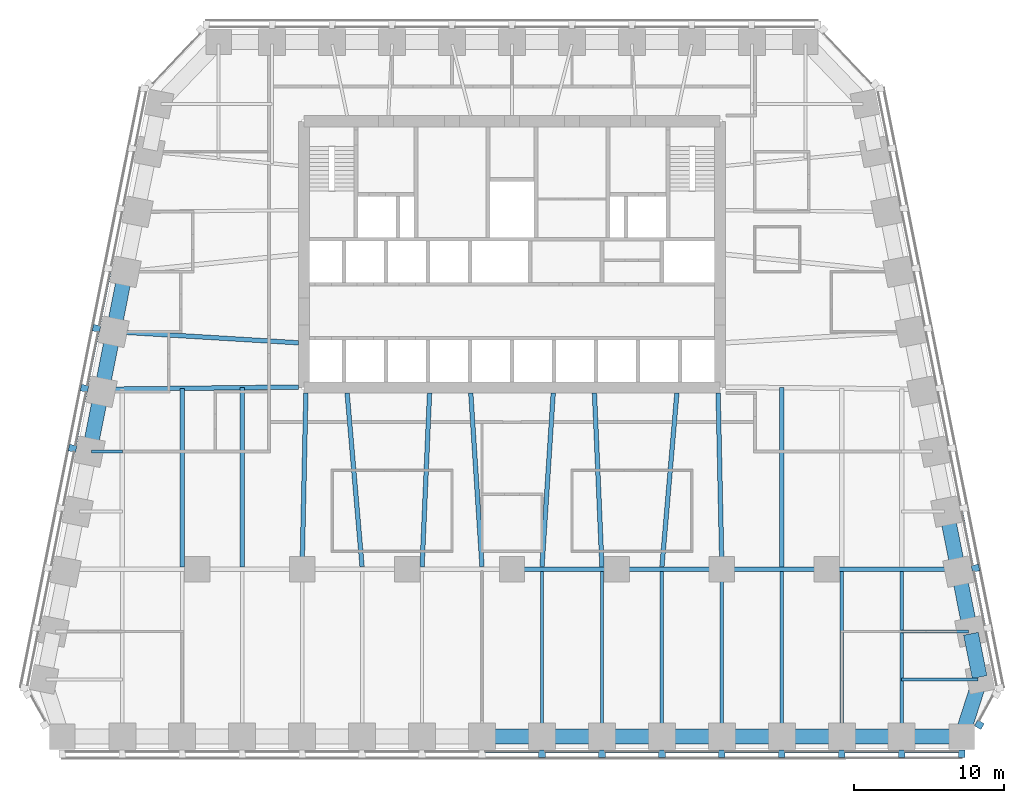
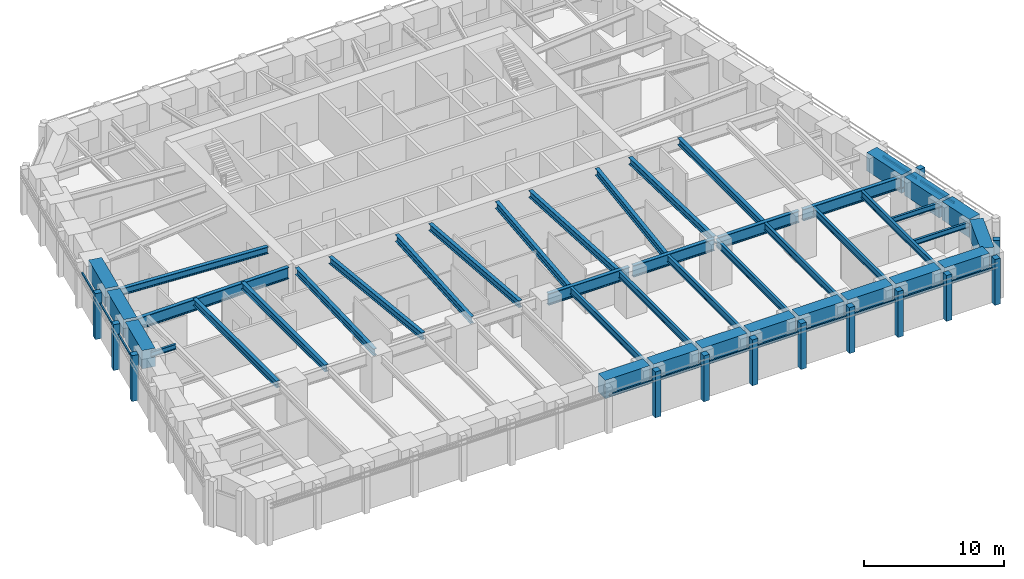
# One storey, part 2 of 10: 42 beams, 26 members, 4 elements without a shape of their own.
"""IFC4 building model written with IfcOpenShell, lengths in metres."""

from ifc_helpers import new_model, si_unit, direction, frame, origin, origin_2d, place, context, subcontext, project, spatial, rectangle, i_section, extrude, material, material_profile, profile_set, type_object, element, aggregate, save


model = new_model("IFC4")

# Units and contexts
model_context = context("Model", 3, precision=1e-05, world=origin(), true_north=direction((0.0, 1.0)))
body_context = subcontext(model_context, "Body", "Model", "MODEL_VIEW")
ifc_project = project(units=[si_unit("LENGTHUNIT", "METRE"), si_unit("AREAUNIT", "SQUARE_METRE"), si_unit("VOLUMEUNIT", "CUBIC_METRE"), si_unit("PLANEANGLEUNIT", "RADIAN"), si_unit("MASSUNIT", "GRAM", prefix="KILO")], contexts=[model_context])

# Site, building, storey
site_placement = place(None, origin())
site = spatial("IfcSite", under=ifc_project, at=site_placement, CompositionType="ELEMENT")
building_placement = place(site_placement, origin())
building = spatial("IfcBuilding", under=site, at=building_placement, Name="Isbrekke Arena Tower", CompositionType="ELEMENT")
storey_placement = place(building_placement, frame((0.0, 0.0, 123.0)))
storey = spatial("IfcBuildingStorey", under=building, at=storey_placement, Name="L27", CompositionType="ELEMENT", Elevation=123.0)

# Beams
ifc_material_1 = material(Name="Steel S355", Category="steel")
ifc_material_profile_1 = material_profile(ifc_material_1, i_section(OverallWidth=0.219970703125, OverallDepth=0.60009765625, WebThickness=0.011962890625, FlangeThickness=0.01904296875, FilletRadius=0.02392578125, at=origin_2d()), Name="IPE 600")
ifc_profile_set_1 = profile_set([ifc_material_profile_1], Name="Steel S355")
beam_type_1 = type_object("IfcBeamType", Name="B1 IPE 600", PredefinedType="BEAM", material=ifc_profile_set_1)
for number, where, z_axis, x_axis, name in (
    (1, (2.0, -17.02490234375, 3.550048828125), (0.0, 1.0, 0.0), (-1.0, 0.0, 0.0), "B1 beam S-S09 L27"),
    (2, (6.0, -17.02490234375, 3.550048828125), (0.0, 1.0, 0.0), (-1.0, 0.0, 0.0), "B1 beam S-S10 L27"),
    (3, (10.0, -17.02490234375, 3.550048828125), (0.0, 1.0, 0.0), (-1.0, 0.0, 0.0), "B1 beam S-S11 L27"),
):
    element("IfcBeam", number, at=place(storey_placement, frame(where, z_axis=z_axis, x_axis=x_axis)), inside=storey, type_object=beam_type_1, Name=name, PredefinedType="BEAM", context=body_context, shape_type="SweptSolid", body=[
        extrude(i_section(OverallWidth=0.219970703125, OverallDepth=0.60009765625, WebThickness=0.011962890625, FlangeThickness=0.01904296875, FilletRadius=0.02392578125, at=origin_2d()), origin(), (0.0, 0.0, 1.0), 10.8740234375),
    ])
beam_1_placement = place(storey_placement, frame((14.0, -17.02490234375, 3.550048828125), z_axis=(0.0, 1.0, 0.0), x_axis=(-1.0, 0.0, 0.0)))
element("IfcBeam", 4, at=beam_1_placement, inside=storey, type_object=beam_type_1, Name="B1 beam S-S12 L27", PredefinedType="BEAM", context=body_context, shape_type="SweptSolid", body=[
    extrude(i_section(OverallWidth=0.219970703125, OverallDepth=0.60009765625, WebThickness=0.011962890625, FlangeThickness=0.01904296875, FilletRadius=0.02392578125, at=origin_2d()), origin(), (0.0, 0.0, 1.0), 10.875),
])
for number, where, z_axis, x_axis, name in (
    (5, (18.0, -17.02490234375, 3.550048828125), (0.0, 1.0, 0.0), (-1.0, 0.0, 0.0), "B1 beam S-S13 L27"),
    (6, (22.0, -17.02490234375, 3.550048828125), (0.0, 1.0, 0.0), (-1.0, 0.0, 0.0), "B1 beam S-S14 L27"),
    (7, (26.0, -17.02490234375, 3.550048828125), (0.0, 1.0, 0.0), (-1.0, 0.0, 0.0), "B1 beam S-S15 L27"),
):
    element("IfcBeam", number, at=place(storey_placement, frame(where, z_axis=z_axis, x_axis=x_axis)), inside=storey, type_object=beam_type_1, Name=name, PredefinedType="BEAM", context=body_context, shape_type="SweptSolid", body=[
        extrude(i_section(OverallWidth=0.219970703125, OverallDepth=0.60009765625, WebThickness=0.011962890625, FlangeThickness=0.01904296875, FilletRadius=0.02392578125, at=origin_2d()), origin(), (0.0, 0.0, 1.0), 10.8740234375),
    ])
ifc_material_2 = material(Name="Steel S355", Category="steel")
ifc_material_profile_2 = material_profile(ifc_material_2, i_section(OverallWidth=0.18994140625, OverallDepth=0.449951171875, WebThickness=0.009521484375, FlangeThickness=0.0146484375, FilletRadius=0.02099609375, at=origin_2d()), Name="IPE 450")
ifc_profile_set_2 = profile_set([ifc_material_profile_2], Name="Steel S355")
beam_type_2 = type_object("IfcBeamType", Name="B2 IPE 450", PredefinedType="BEAM", material=ifc_profile_set_2)
beam_2_placement = place(storey_placement, frame((31.079345703125, -13.352783203125, 3.625), z_axis=(-1.0, 0.0, 0.0), x_axis=(0.0, -1.0, 0.0)))
element("IfcBeam", 8, at=beam_2_placement, inside=storey, type_object=beam_type_2, Name="B2 beam E-E01 L27", PredefinedType="BEAM", context=body_context, shape_type="SweptSolid", body=[
    extrude(i_section(OverallWidth=0.18994140625, OverallDepth=0.449951171875, WebThickness=0.009521484375, FlangeThickness=0.0146484375, FilletRadius=0.02099609375, at=origin_2d()), origin(), (0.0, 0.0, 1.0), 5.079345703125),
])
beam_3_placement = place(storey_placement, frame((30.44091796875, -10.161865234375, 3.625), z_axis=(-1.0, 0.0, 0.0), x_axis=(0.0, -1.0, 0.0)))
element("IfcBeam", 9, at=beam_3_placement, inside=storey, type_object=beam_type_2, Name="B2 beam E-E02 L27", PredefinedType="BEAM", context=body_context, shape_type="SweptSolid", body=[
    extrude(i_section(OverallWidth=0.18994140625, OverallDepth=0.449951171875, WebThickness=0.009521484375, FlangeThickness=0.0146484375, FilletRadius=0.02099609375, at=origin_2d()), origin(), (0.0, 0.0, 1.0), 4.44091796875),
])
beam_4_placement = place(storey_placement, frame((-28.041015625, 1.838134765625, 3.625), z_axis=(1.0, 0.0, 0.0), x_axis=(0.0, 1.0, 0.0)))
element("IfcBeam", 10, at=beam_4_placement, inside=storey, type_object=beam_type_2, Name="B2 beam E-W07 L27", PredefinedType="BEAM", context=body_context, shape_type="SweptSolid", body=[
    extrude(i_section(OverallWidth=0.18994140625, OverallDepth=0.449951171875, WebThickness=0.009521484375, FlangeThickness=0.0146484375, FilletRadius=0.02099609375, at=origin_2d()), origin(), (0.0, 0.0, 1.0), 2.041015625),
])
ifc_material_3 = material(Name="Steel S355", Category="steel")
ifc_material_profile_3 = material_profile(ifc_material_3, i_section(OverallWidth=0.300048828125, OverallDepth=0.60009765625, WebThickness=0.015380859375, FlangeThickness=0.030029296875, FilletRadius=0.027099609375, at=origin_2d()), Name="HEB 600")
ifc_profile_set_3 = profile_set([ifc_material_profile_3], Name="Steel S355")
beam_type_3 = type_object("IfcBeamType", Name="B7 HEB 600", PredefinedType="BEAM", material=ifc_profile_set_3)
beam_5_placement = place(storey_placement, frame((-22.0, -5.84912109375, 3.550048828125), z_axis=(0.0, 1.0, 0.0), x_axis=(-1.0, 0.0, 0.0)))
element("IfcBeam", 11, at=beam_5_placement, inside=storey, type_object=beam_type_3, Name="B7 beam C-M02 L27", PredefinedType="BEAM", context=body_context, shape_type="SweptSolid", body=[
    extrude(i_section(OverallWidth=0.300048828125, OverallDepth=0.60009765625, WebThickness=0.015380859375, FlangeThickness=0.030029296875, FilletRadius=0.027099609375, at=origin_2d()), origin(), (0.0, 0.0, 1.0), 11.91064453125),
])
beam_6_placement = place(storey_placement, frame((-18.0, -5.84912109375, 3.550048828125), z_axis=(0.0, 1.0, 0.0), x_axis=(-1.0, 0.0, 0.0)))
element("IfcBeam", 12, at=beam_6_placement, inside=storey, type_object=beam_type_3, Name="B7 beam C-M03 L27", PredefinedType="BEAM", context=body_context, shape_type="SweptSolid", body=[
    extrude(i_section(OverallWidth=0.300048828125, OverallDepth=0.60009765625, WebThickness=0.015380859375, FlangeThickness=0.030029296875, FilletRadius=0.027099609375, at=origin_2d()), origin(), (0.0, 0.0, 1.0), 11.956298828125),
])
beam_7_placement = place(storey_placement, frame((-14.0, -5.8466796875, 3.550048828125), z_axis=(0.021552887044, 0.999767709551, 0.0), x_axis=(-0.999767709551, 0.021552887044, 0.0)))
element("IfcBeam", 13, at=beam_7_placement, inside=storey, type_object=beam_type_3, Name="B7 beam C-M04 L27", PredefinedType="BEAM", context=body_context, shape_type="SweptSolid", body=[
    extrude(i_section(OverallWidth=0.300048828125, OverallDepth=0.60009765625, WebThickness=0.015380859375, FlangeThickness=0.030029296875, FilletRadius=0.027099609375, at=origin_2d()), origin(), (0.0, 0.0, 1.0), 11.599365234375),
])
beam_8_placement = place(storey_placement, frame((-10.001220703125, -5.836181640625, 3.550048828125), z_axis=(-0.085885827104, 0.996304985786, 0.0), x_axis=(-0.996304985786, -0.085885827104, 0.0)))
element("IfcBeam", 14, at=beam_8_placement, inside=storey, type_object=beam_type_3, Name="B7 beam C-M05 L27", PredefinedType="BEAM", context=body_context, shape_type="SweptSolid", body=[
    extrude(i_section(OverallWidth=0.300048828125, OverallDepth=0.60009765625, WebThickness=0.015380859375, FlangeThickness=0.030029296875, FilletRadius=0.027099609375, at=origin_2d()), origin(), (0.0, 0.0, 1.0), 11.629150390625),
])
beam_9_placement = place(storey_placement, frame((-5.999755859375, -5.842529296875, 3.550048828125), z_axis=(0.043070161667, 0.999072050041, 0.0), x_axis=(-0.999072050041, 0.043070161667, 0.0)))
element("IfcBeam", 15, at=beam_9_placement, inside=storey, type_object=beam_type_3, Name="B7 beam C-M06 L27", PredefinedType="BEAM", context=body_context, shape_type="SweptSolid", body=[
    extrude(i_section(OverallWidth=0.300048828125, OverallDepth=0.60009765625, WebThickness=0.015380859375, FlangeThickness=0.030029296875, FilletRadius=0.027099609375, at=origin_2d()), origin(), (0.0, 0.0, 1.0), 11.603271484375),
])
for number, where, z_axis, x_axis, name in (
    (16, (-2.000732421875, -5.83935546875, 3.550048828125), (-0.064516666031, 0.997916629686, 0.0), (-0.997916629686, -0.064516666031, 0.0), "B7 beam C-M07 L27"),
    (17, (2.000732421875, -5.83935546875, 3.550048828125), (0.064516666031, 0.997916629686, 0.0), (-0.997916629686, 0.064516666031, 0.0), "B7 beam C-M08 L27"),
):
    element("IfcBeam", number, at=place(storey_placement, frame(where, z_axis=z_axis, x_axis=x_axis)), inside=storey, type_object=beam_type_3, Name=name, PredefinedType="BEAM", context=body_context, shape_type="SweptSolid", body=[
        extrude(i_section(OverallWidth=0.300048828125, OverallDepth=0.60009765625, WebThickness=0.015380859375, FlangeThickness=0.030029296875, FilletRadius=0.027099609375, at=origin_2d()), origin(), (0.0, 0.0, 1.0), 11.613525390625),
    ])
beam_10_placement = place(storey_placement, frame((5.999755859375, -5.842529296875, 3.550048828125), z_axis=(-0.043070161667, 0.999072050041, 0.0), x_axis=(-0.999072050041, -0.043070161667, 0.0)))
element("IfcBeam", 18, at=beam_10_placement, inside=storey, type_object=beam_type_3, Name="B7 beam C-M09 L27", PredefinedType="BEAM", context=body_context, shape_type="SweptSolid", body=[
    extrude(i_section(OverallWidth=0.300048828125, OverallDepth=0.60009765625, WebThickness=0.015380859375, FlangeThickness=0.030029296875, FilletRadius=0.027099609375, at=origin_2d()), origin(), (0.0, 0.0, 1.0), 11.603271484375),
])
beam_11_placement = place(storey_placement, frame((10.001220703125, -5.836181640625, 3.550048828125), z_axis=(0.085885827104, 0.996304985786, 0.0), x_axis=(-0.996304985786, 0.085885827104, 0.0)))
element("IfcBeam", 19, at=beam_11_placement, inside=storey, type_object=beam_type_3, Name="B7 beam C-M10 L27", PredefinedType="BEAM", context=body_context, shape_type="SweptSolid", body=[
    extrude(i_section(OverallWidth=0.300048828125, OverallDepth=0.60009765625, WebThickness=0.015380859375, FlangeThickness=0.030029296875, FilletRadius=0.027099609375, at=origin_2d()), origin(), (0.0, 0.0, 1.0), 11.629150390625),
])
beam_12_placement = place(storey_placement, frame((14.0, -5.8466796875, 3.550048828125), z_axis=(-0.021552887044, 0.999767709551, 0.0), x_axis=(-0.999767709551, -0.021552887044, 0.0)))
element("IfcBeam", 20, at=beam_12_placement, inside=storey, type_object=beam_type_3, Name="B7 beam C-M11 L27", PredefinedType="BEAM", context=body_context, shape_type="SweptSolid", body=[
    extrude(i_section(OverallWidth=0.300048828125, OverallDepth=0.60009765625, WebThickness=0.015380859375, FlangeThickness=0.030029296875, FilletRadius=0.027099609375, at=origin_2d()), origin(), (0.0, 0.0, 1.0), 11.599365234375),
])
beam_13_placement = place(storey_placement, frame((18.0, -5.84912109375, 3.550048828125), z_axis=(0.0, 1.0, 0.0), x_axis=(-1.0, 0.0, 0.0)))
element("IfcBeam", 21, at=beam_13_placement, inside=storey, type_object=beam_type_3, Name="B7 beam C-M12 L27", PredefinedType="BEAM", context=body_context, shape_type="SweptSolid", body=[
    extrude(i_section(OverallWidth=0.300048828125, OverallDepth=0.60009765625, WebThickness=0.015380859375, FlangeThickness=0.030029296875, FilletRadius=0.027099609375, at=origin_2d()), origin(), (0.0, 0.0, 1.0), 11.956298828125),
])
beam_14_placement = place(storey_placement, frame((-26.431884765625, 9.837646484375, 3.550048828125), z_axis=(0.998172191876, -0.060434057993, 0.0), x_axis=(0.060434057993, 0.998172191876, 0.0)))
element("IfcBeam", 22, at=beam_14_placement, inside=storey, type_object=beam_type_3, Name="B7 beam E-W05 L27", PredefinedType="BEAM", context=body_context, shape_type="SweptSolid", body=[
    extrude(i_section(OverallWidth=0.300048828125, OverallDepth=0.60009765625, WebThickness=0.015380859375, FlangeThickness=0.030029296875, FilletRadius=0.027099609375, at=origin_2d()), origin(), (0.0, 0.0, 1.0), 12.2041015625),
])

# Curtain wall, members
ifc_material_4 = material(Name="Glazed aluminium curtain wall", Category="aluminium")
curtain_wall_type = type_object("IfcCurtainWallType", Name="CWM TOWER CURTAIN WALL MID ZONE", PredefinedType="USERDEFINED", material=ifc_material_4)
curtain_wall_1_placement = place(storey_placement, origin())
curtain_wall_1 = element("IfcCurtainWall", 23, at=curtain_wall_1_placement, inside=storey, type_object=curtain_wall_type, Name="CWM curtain wall L27-S", ObjectType="TOWER CURTAIN WALL MID ZONE", PredefinedType="USERDEFINED")
ifc_material_5 = material(Name="Aluminium mullion, pale brick slip cladding", Category="masonry")
ifc_material_profile_4 = material_profile(ifc_material_5, rectangle(XDim=0.449951171875, YDim=0.5, at=origin_2d()), Name="PIER 450X500")
ifc_profile_set_4 = profile_set([ifc_material_profile_4], Name="Aluminium mullion, pale brick slip cladding")
member_type_1 = type_object("IfcMemberType", Name="CWM-M PIER MULLION 450 x 500", PredefinedType="MULLION", material=ifc_profile_set_4)
member_1_placement = place(storey_placement, frame((2.0, -18.324951171875, 0.0), z_axis=(0.0, 0.0, 1.0), x_axis=(1.0, 0.0, 0.0)))
member_1 = element("IfcMember", 24, at=member_1_placement, type_object=member_type_1, Name="CWM-M mullion 9", PredefinedType="MULLION", context=body_context, shape_type="SweptSolid", body=[
    extrude(rectangle(XDim=0.449951171875, YDim=0.5, at=origin_2d()), origin(), (0.0, 0.0, 1.0), 4.0),
])
member_2_placement = place(storey_placement, frame((6.0, -18.324951171875, 0.0), z_axis=(0.0, 0.0, 1.0), x_axis=(1.0, 0.0, 0.0)))
member_2 = element("IfcMember", 25, at=member_2_placement, type_object=member_type_1, Name="CWM-M mullion 10", PredefinedType="MULLION", context=body_context, shape_type="SweptSolid", body=[
    extrude(rectangle(XDim=0.449951171875, YDim=0.5, at=origin_2d()), origin(), (0.0, 0.0, 1.0), 4.0),
])
member_3_placement = place(storey_placement, frame((10.0, -18.324951171875, 0.0), z_axis=(0.0, 0.0, 1.0), x_axis=(1.0, 0.0, 0.0)))
member_3 = element("IfcMember", 26, at=member_3_placement, type_object=member_type_1, Name="CWM-M mullion 11", PredefinedType="MULLION", context=body_context, shape_type="SweptSolid", body=[
    extrude(rectangle(XDim=0.449951171875, YDim=0.5, at=origin_2d()), origin(), (0.0, 0.0, 1.0), 4.0),
])
member_4_placement = place(storey_placement, frame((14.0, -18.324951171875, 0.0), z_axis=(0.0, 0.0, 1.0), x_axis=(1.0, 0.0, 0.0)))
member_4 = element("IfcMember", 27, at=member_4_placement, type_object=member_type_1, Name="CWM-M mullion 12", PredefinedType="MULLION", context=body_context, shape_type="SweptSolid", body=[
    extrude(rectangle(XDim=0.449951171875, YDim=0.5, at=origin_2d()), origin(), (0.0, 0.0, 1.0), 4.0),
])
member_5_placement = place(storey_placement, frame((18.0, -18.324951171875, 0.0), z_axis=(0.0, 0.0, 1.0), x_axis=(1.0, 0.0, 0.0)))
member_5 = element("IfcMember", 28, at=member_5_placement, type_object=member_type_1, Name="CWM-M mullion 13", PredefinedType="MULLION", context=body_context, shape_type="SweptSolid", body=[
    extrude(rectangle(XDim=0.449951171875, YDim=0.5, at=origin_2d()), origin(), (0.0, 0.0, 1.0), 4.0),
])
member_6_placement = place(storey_placement, frame((22.0, -18.324951171875, 0.0), z_axis=(0.0, 0.0, 1.0), x_axis=(1.0, 0.0, 0.0)))
member_6 = element("IfcMember", 29, at=member_6_placement, type_object=member_type_1, Name="CWM-M mullion 14", PredefinedType="MULLION", context=body_context, shape_type="SweptSolid", body=[
    extrude(rectangle(XDim=0.449951171875, YDim=0.5, at=origin_2d()), origin(), (0.0, 0.0, 1.0), 4.0),
])
member_7_placement = place(storey_placement, frame((26.0, -18.324951171875, 0.0), z_axis=(0.0, 0.0, 1.0), x_axis=(1.0, 0.0, 0.0)))
member_7 = element("IfcMember", 30, at=member_7_placement, type_object=member_type_1, Name="CWM-M mullion 15", PredefinedType="MULLION", context=body_context, shape_type="SweptSolid", body=[
    extrude(rectangle(XDim=0.449951171875, YDim=0.5, at=origin_2d()), origin(), (0.0, 0.0, 1.0), 4.0),
])
member_8_placement = place(storey_placement, frame((30.0, -18.324951171875, 0.0), z_axis=(0.0, 0.0, 1.0), x_axis=(1.0, 0.0, 0.0)))
member_8 = element("IfcMember", 31, at=member_8_placement, type_object=member_type_1, Name="CWM-M mullion 16", PredefinedType="MULLION", context=body_context, shape_type="SweptSolid", body=[
    extrude(rectangle(XDim=0.449951171875, YDim=0.5, at=origin_2d()), origin(), (0.0, 0.0, 1.0), 4.0),
])

# Curtain wall, member
curtain_wall_2_placement = place(storey_placement, origin())
curtain_wall_2 = element("IfcCurtainWall", 32, at=curtain_wall_2_placement, inside=storey, type_object=curtain_wall_type, Name="CWM curtain wall L27-SE", ObjectType="TOWER CURTAIN WALL MID ZONE", PredefinedType="USERDEFINED")
member_9_placement = place(storey_placement, frame((31.17529296875, -16.382080078125, 0.0), z_axis=(0.0, 0.0, 1.0), x_axis=(0.481918749773, 0.876215908676, 0.0)))
member_9 = element("IfcMember", 33, at=member_9_placement, type_object=member_type_1, Name="CWM-M mullion 1", PredefinedType="MULLION", context=body_context, shape_type="SweptSolid", body=[
    extrude(rectangle(XDim=0.449951171875, YDim=0.5, at=origin_2d()), origin(), (0.0, 0.0, 1.0), 4.0),
])
aggregate(curtain_wall_2, [member_9])

curtain_wall_3_placement = place(storey_placement, origin())
curtain_wall_3 = element("IfcCurtainWall", 34, at=curtain_wall_3_placement, inside=storey, type_object=curtain_wall_type, Name="CWM curtain wall L27-E", ObjectType="TOWER CURTAIN WALL MID ZONE", PredefinedType="USERDEFINED")
member_10_placement = place(storey_placement, frame((30.918701171875, -5.936279296875, 0.0), z_axis=(0.0, 0.0, 1.0), x_axis=(-0.196116135138, 0.980580675691, 0.0)))
member_10 = element("IfcMember", 35, at=member_10_placement, type_object=member_type_1, Name="CWM-M mullion 3", PredefinedType="MULLION", context=body_context, shape_type="SweptSolid", body=[
    extrude(rectangle(XDim=0.449951171875, YDim=0.5, at=origin_2d()), origin(), (0.0, 0.0, 1.0), 4.0),
])

# Curtain wall, members
curtain_wall_4_placement = place(storey_placement, origin())
curtain_wall_4 = element("IfcCurtainWall", 36, at=curtain_wall_4_placement, inside=storey, type_object=curtain_wall_type, Name="CWM curtain wall L27-W", ObjectType="TOWER CURTAIN WALL MID ZONE", PredefinedType="USERDEFINED")
member_11_placement = place(storey_placement, frame((-27.71875, 10.063720703125, 0.0), z_axis=(0.0, 0.0, 1.0), x_axis=(-0.196116135138, -0.980580675691, 0.0)))
member_11 = element("IfcMember", 37, at=member_11_placement, type_object=member_type_1, Name="CWM-M mullion 5", PredefinedType="MULLION", context=body_context, shape_type="SweptSolid", body=[
    extrude(rectangle(XDim=0.449951171875, YDim=0.5, at=origin_2d()), origin(), (0.0, 0.0, 1.0), 4.0),
])
member_12_placement = place(storey_placement, frame((-28.518798828125, 6.063720703125, 0.0), z_axis=(0.0, 0.0, 1.0), x_axis=(-0.196116135138, -0.980580675691, 0.0)))
member_12 = element("IfcMember", 38, at=member_12_placement, type_object=member_type_1, Name="CWM-M mullion 6", PredefinedType="MULLION", context=body_context, shape_type="SweptSolid", body=[
    extrude(rectangle(XDim=0.449951171875, YDim=0.5, at=origin_2d()), origin(), (0.0, 0.0, 1.0), 4.0),
])
member_13_placement = place(storey_placement, frame((-29.318603515625, 2.063720703125, 0.0), z_axis=(0.0, 0.0, 1.0), x_axis=(-0.196116135138, -0.980580675691, 0.0)))
member_13 = element("IfcMember", 39, at=member_13_placement, type_object=member_type_1, Name="CWM-M mullion 7", PredefinedType="MULLION", context=body_context, shape_type="SweptSolid", body=[
    extrude(rectangle(XDim=0.449951171875, YDim=0.5, at=origin_2d()), origin(), (0.0, 0.0, 1.0), 4.0),
])

# Member
ifc_material_6 = material(Name="Aluminium transom", Category="aluminium")
ifc_material_profile_5 = material_profile(ifc_material_6, rectangle(XDim=0.1201171875, YDim=0.199951171875, at=origin_2d()), Name="TRANSOM 120X200")
ifc_profile_set_5 = profile_set([ifc_material_profile_5], Name="Aluminium transom")
member_type_2 = type_object("IfcMemberType", Name="CWM-T TRANSOM 120 x 200", PredefinedType="USERDEFINED", material=ifc_profile_set_5)
member_14_placement = place(storey_placement, frame((-1.77490234375, -18.175048828125, 3.0), z_axis=(1.0, 0.0, 0.0), x_axis=(0.0, 1.0, 0.0)))
member_14 = element("IfcMember", 40, at=member_14_placement, type_object=member_type_2, Name="CWM-T transom 8", ObjectType="TRANSOM", PredefinedType="USERDEFINED", context=body_context, shape_type="SweptSolid", body=[
    extrude(rectangle(XDim=0.1201171875, YDim=0.199951171875, at=origin_2d()), origin(), (0.0, 0.0, 1.0), 3.5498046875),
])

member_15_placement = place(storey_placement, frame((2.22509765625, -18.175048828125, 3.0), z_axis=(1.0, 0.0, 0.0), x_axis=(0.0, 1.0, 0.0)))
member_15 = element("IfcMember", 41, at=member_15_placement, type_object=member_type_2, Name="CWM-T transom 9", ObjectType="TRANSOM", PredefinedType="USERDEFINED", context=body_context, shape_type="SweptSolid", body=[
    extrude(rectangle(XDim=0.1201171875, YDim=0.199951171875, at=origin_2d()), origin(), (0.0, 0.0, 1.0), 3.5498046875),
])

member_16_placement = place(storey_placement, frame((6.22509765625, -18.175048828125, 3.0), z_axis=(1.0, 0.0, 0.0), x_axis=(0.0, 1.0, 0.0)))
member_16 = element("IfcMember", 42, at=member_16_placement, type_object=member_type_2, Name="CWM-T transom 10", ObjectType="TRANSOM", PredefinedType="USERDEFINED", context=body_context, shape_type="SweptSolid", body=[
    extrude(rectangle(XDim=0.1201171875, YDim=0.199951171875, at=origin_2d()), origin(), (0.0, 0.0, 1.0), 3.5498046875),
])

member_17_placement = place(storey_placement, frame((10.22509765625, -18.175048828125, 3.0), z_axis=(1.0, 0.0, 0.0), x_axis=(0.0, 1.0, 0.0)))
member_17 = element("IfcMember", 43, at=member_17_placement, type_object=member_type_2, Name="CWM-T transom 11", ObjectType="TRANSOM", PredefinedType="USERDEFINED", context=body_context, shape_type="SweptSolid", body=[
    extrude(rectangle(XDim=0.1201171875, YDim=0.199951171875, at=origin_2d()), origin(), (0.0, 0.0, 1.0), 3.5498046875),
])

member_18_placement = place(storey_placement, frame((14.22509765625, -18.175048828125, 3.0), z_axis=(1.0, 0.0, 0.0), x_axis=(0.0, 1.0, 0.0)))
member_18 = element("IfcMember", 44, at=member_18_placement, type_object=member_type_2, Name="CWM-T transom 12", ObjectType="TRANSOM", PredefinedType="USERDEFINED", context=body_context, shape_type="SweptSolid", body=[
    extrude(rectangle(XDim=0.1201171875, YDim=0.199951171875, at=origin_2d()), origin(), (0.0, 0.0, 1.0), 3.5498046875),
])

member_19_placement = place(storey_placement, frame((18.22509765625, -18.175048828125, 3.0), z_axis=(1.0, 0.0, 0.0), x_axis=(0.0, 1.0, 0.0)))
member_19 = element("IfcMember", 45, at=member_19_placement, type_object=member_type_2, Name="CWM-T transom 13", ObjectType="TRANSOM", PredefinedType="USERDEFINED", context=body_context, shape_type="SweptSolid", body=[
    extrude(rectangle(XDim=0.1201171875, YDim=0.199951171875, at=origin_2d()), origin(), (0.0, 0.0, 1.0), 3.5498046875),
])

member_20_placement = place(storey_placement, frame((22.22509765625, -18.175048828125, 3.0), z_axis=(1.0, 0.0, 0.0), x_axis=(0.0, 1.0, 0.0)))
member_20 = element("IfcMember", 46, at=member_20_placement, type_object=member_type_2, Name="CWM-T transom 14", ObjectType="TRANSOM", PredefinedType="USERDEFINED", context=body_context, shape_type="SweptSolid", body=[
    extrude(rectangle(XDim=0.1201171875, YDim=0.199951171875, at=origin_2d()), origin(), (0.0, 0.0, 1.0), 3.5498046875),
])

member_21_placement = place(storey_placement, frame((26.22509765625, -18.175048828125, 3.0), z_axis=(1.0, 0.0, 0.0), x_axis=(0.0, 1.0, 0.0)))
member_21 = element("IfcMember", 47, at=member_21_placement, type_object=member_type_2, Name="CWM-T transom 15", ObjectType="TRANSOM", PredefinedType="USERDEFINED", context=body_context, shape_type="SweptSolid", body=[
    extrude(rectangle(XDim=0.1201171875, YDim=0.199951171875, at=origin_2d()), origin(), (0.0, 0.0, 1.0), 3.5498046875),
])

aggregate(curtain_wall_1, [member_1, member_2, member_3, member_4, member_5, member_6, member_7, member_8, member_14, member_15, member_16, member_17, member_18, member_19, member_20, member_21])

member_22_placement = place(storey_placement, frame((31.527587890625, -9.7451171875, 3.0), z_axis=(-0.196154943734, 0.980572913173, 0.0), x_axis=(-0.980572913173, -0.196154943734, 0.0)))
member_22 = element("IfcMember", 48, at=member_22_placement, type_object=member_type_2, Name="CWM-T transom 2", ObjectType="TRANSOM", PredefinedType="USERDEFINED", context=body_context, shape_type="SweptSolid", body=[
    extrude(rectangle(XDim=0.1201171875, YDim=0.199951171875, at=origin_2d()), origin(), (0.0, 0.0, 1.0), 3.62939453125),
])

member_23_placement = place(storey_placement, frame((30.7275390625, -5.7451171875, 3.0), z_axis=(-0.196154943734, 0.980572913173, 0.0), x_axis=(-0.980572913173, -0.196154943734, 0.0)))
member_23 = element("IfcMember", 49, at=member_23_placement, type_object=member_type_2, Name="CWM-T transom 3", ObjectType="TRANSOM", PredefinedType="USERDEFINED", context=body_context, shape_type="SweptSolid", body=[
    extrude(rectangle(XDim=0.1201171875, YDim=0.199951171875, at=origin_2d()), origin(), (0.0, 0.0, 1.0), 3.62939453125),
])

aggregate(curtain_wall_3, [member_10, member_22, member_23])

member_24_placement = place(storey_placement, frame((-26.815673828125, 13.813720703125, 3.0), z_axis=(-0.196154943734, -0.980572913173, 0.0), x_axis=(0.980572913173, -0.196154943734, 0.0)))
member_24 = element("IfcMember", 50, at=member_24_placement, type_object=member_type_2, Name="CWM-T transom 4", ObjectType="TRANSOM", PredefinedType="USERDEFINED", context=body_context, shape_type="SweptSolid", body=[
    extrude(rectangle(XDim=0.1201171875, YDim=0.199951171875, at=origin_2d()), origin(), (0.0, 0.0, 1.0), 3.62939453125),
])

member_25_placement = place(storey_placement, frame((-27.61572265625, 9.813720703125, 3.0), z_axis=(-0.196090262229, -0.980585849918, 0.0), x_axis=(0.980585849918, -0.196090262229, 0.0)))
member_25 = element("IfcMember", 51, at=member_25_placement, type_object=member_type_2, Name="CWM-T transom 5", ObjectType="TRANSOM", PredefinedType="USERDEFINED", context=body_context, shape_type="SweptSolid", body=[
    extrude(rectangle(XDim=0.1201171875, YDim=0.199951171875, at=origin_2d()), origin(), (0.0, 0.0, 1.0), 3.62939453125),
])

member_26_placement = place(storey_placement, frame((-28.415771484375, 5.813720703125, 3.0), z_axis=(-0.196090262229, -0.980585849918, 0.0), x_axis=(0.980585849918, -0.196090262229, 0.0)))
member_26 = element("IfcMember", 52, at=member_26_placement, type_object=member_type_2, Name="CWM-T transom 6", ObjectType="TRANSOM", PredefinedType="USERDEFINED", context=body_context, shape_type="SweptSolid", body=[
    extrude(rectangle(XDim=0.1201171875, YDim=0.199951171875, at=origin_2d()), origin(), (0.0, 0.0, 1.0), 3.62939453125),
])

aggregate(curtain_wall_4, [member_11, member_12, member_13, member_24, member_25, member_26])

# Beams
ifc_material_7 = material(Name="Steel S355", Category="steel")
ifc_material_profile_6 = material_profile(ifc_material_7, i_section(OverallWidth=0.302001953125, OverallDepth=1.008056640625, WebThickness=0.02099609375, FlangeThickness=0.0400390625, FilletRadius=0.030029296875, at=origin_2d()), Name="HEM 1000")
ifc_profile_set_6 = profile_set([ifc_material_profile_6], Name="Steel S355")
beam_type_4 = type_object("IfcBeamType", Name="G1 HEM 1000", PredefinedType="BEAM", material=ifc_profile_set_6)
for number, where, z_axis, x_axis, name in (
    (53, (0.14990234375, -6.0, 3.345947265625), (1.0, 0.0, 0.0), (0.0, 1.0, 0.0), "G1 beam G1-05 L27"),
    (54, (7.14990234375, -6.0, 3.345947265625), (1.0, 0.0, 0.0), (0.0, 1.0, 0.0), "G1 beam G1-06 L27"),
    (55, (14.14990234375, -6.0, 3.345947265625), (1.0, 0.0, 0.0), (0.0, 1.0, 0.0), "G1 beam G1-07 L27"),
):
    element("IfcBeam", number, at=place(storey_placement, frame(where, z_axis=z_axis, x_axis=x_axis)), inside=storey, type_object=beam_type_4, Name=name, PredefinedType="BEAM", context=body_context, shape_type="SweptSolid", body=[
        extrude(i_section(OverallWidth=0.302001953125, OverallDepth=1.008056640625, WebThickness=0.02099609375, FlangeThickness=0.0400390625, FilletRadius=0.030029296875, at=origin_2d()), origin(), (0.0, 0.0, 1.0), 6.7001953125),
    ])
beam_15_placement = place(storey_placement, frame((21.14990234375, -6.0, 3.345947265625), z_axis=(1.0, 0.0, 0.0), x_axis=(0.0, 1.0, 0.0)))
element("IfcBeam", 56, at=beam_15_placement, inside=storey, type_object=beam_type_4, Name="G1 beam G1-08 L27", PredefinedType="BEAM", context=body_context, shape_type="SweptSolid", body=[
    extrude(i_section(OverallWidth=0.302001953125, OverallDepth=1.008056640625, WebThickness=0.02099609375, FlangeThickness=0.0400390625, FilletRadius=0.030029296875, at=origin_2d()), origin(), (0.0, 0.0, 1.0), 8.64111328125),
])
ifc_material_8 = material(Name="Steel S355", Category="steel")
ifc_material_profile_7 = material_profile(ifc_material_8, i_section(OverallWidth=0.302001953125, OverallDepth=1.008056640625, WebThickness=0.02099609375, FlangeThickness=0.0400390625, FilletRadius=0.030029296875, at=origin_2d()), Name="HEM 1000")
ifc_profile_set_7 = profile_set([ifc_material_profile_7], Name="Steel S355")
beam_type_5 = type_object("IfcBeamType", Name="G2 HEM 1000", PredefinedType="BEAM", material=ifc_profile_set_7)
beam_16_placement = place(storey_placement, frame((-14.25, 6.14990234375, 3.345947265625), z_axis=(-0.999934928157, -0.011407867963, 0.0), x_axis=(0.011407867963, -0.999934928157, 0.0)))
element("IfcBeam", 57, at=beam_16_placement, inside=storey, type_object=beam_type_5, Name="G2 beam G2-W L27", PredefinedType="BEAM", context=body_context, shape_type="SweptSolid", body=[
    extrude(i_section(OverallWidth=0.302001953125, OverallDepth=1.008056640625, WebThickness=0.02099609375, FlangeThickness=0.0400390625, FilletRadius=0.030029296875, at=origin_2d()), origin(), (0.0, 0.0, 1.0), 13.140380859375),
])
ifc_material_9 = material(Name="Concrete B80 (C80/95)", Category="concrete")
ifc_material_profile_8 = material_profile(ifc_material_9, rectangle(XDim=1.0, YDim=1.60009765625, at=origin_2d()), Name="RC 1000x1600")
ifc_profile_set_8 = profile_set([ifc_material_profile_8], Name="Concrete B80 (C80/95)")
beam_type_6 = type_object("IfcBeamType", Name="SB2 RC 1000 x 1600", PredefinedType="SPANDREL", material=ifc_profile_set_8)
for number, where, z_axis, x_axis, name in (
    (58, (-1.85009765625, -17.175048828125, 3.199951171875), (1.0, 0.0, 0.0), (0.0, 1.0, 0.0), "SB2 spandrel S08-S09 L27"),
    (59, (2.14990234375, -17.175048828125, 3.199951171875), (1.0, 0.0, 0.0), (0.0, 1.0, 0.0), "SB2 spandrel S09-S10 L27"),
    (60, (6.14990234375, -17.175048828125, 3.199951171875), (1.0, 0.0, 0.0), (0.0, 1.0, 0.0), "SB2 spandrel S10-S11 L27"),
    (61, (10.14990234375, -17.175048828125, 3.199951171875), (1.0, 0.0, 0.0), (0.0, 1.0, 0.0), "SB2 spandrel S11-S12 L27"),
    (62, (14.14990234375, -17.175048828125, 3.199951171875), (1.0, 0.0, 0.0), (0.0, 1.0, 0.0), "SB2 spandrel S12-S13 L27"),
    (63, (18.14990234375, -17.175048828125, 3.199951171875), (1.0, 0.0, 0.0), (0.0, 1.0, 0.0), "SB2 spandrel S13-S14 L27"),
    (64, (22.14990234375, -17.175048828125, 3.199951171875), (1.0, 0.0, 0.0), (0.0, 1.0, 0.0), "SB2 spandrel S14-S15 L27"),
    (65, (26.14990234375, -17.175048828125, 3.199951171875), (1.0, 0.0, 0.0), (0.0, 1.0, 0.0), "SB2 spandrel S15-S16 L27"),
):
    element("IfcBeam", number, at=place(storey_placement, frame(where, z_axis=z_axis, x_axis=x_axis)), inside=storey, type_object=beam_type_6, Name=name, PredefinedType="SPANDREL", context=body_context, shape_type="SweptSolid", body=[
        extrude(rectangle(XDim=1.0, YDim=1.60009765625, at=origin_2d()), origin(), (0.0, 0.0, 1.0), 3.7001953125),
    ])
beam_17_placement = place(storey_placement, frame((30.0458984375, -17.0322265625, 3.199951171875), z_axis=(0.306175101476, 0.951975213562, 0.0), x_axis=(-0.951975213562, 0.306175101476, 0.0)))
element("IfcBeam", 66, at=beam_17_placement, inside=storey, type_object=beam_type_6, Name="SB2 spandrel S16-E01 L27", PredefinedType="SPANDREL", context=body_context, shape_type="SweptSolid", body=[
    extrude(rectangle(XDim=1.0, YDim=1.60009765625, at=origin_2d()), origin(), (0.0, 0.0, 1.0), 3.715087890625),
])
beam_18_placement = place(storey_placement, frame((31.19970703125, -13.205810546875, 3.199951171875), z_axis=(-0.196100243168, 0.980583853951, 0.0), x_axis=(-0.980583853951, -0.196100243168, 0.0)))
element("IfcBeam", 67, at=beam_18_placement, inside=storey, type_object=beam_type_6, Name="SB2 spandrel E01-E02 L27", PredefinedType="SPANDREL", context=body_context, shape_type="SweptSolid", body=[
    extrude(rectangle(XDim=1.0, YDim=1.60009765625, at=origin_2d()), origin(), (0.0, 0.0, 1.0), 2.954345703125),
])
beam_19_placement = place(storey_placement, frame((30.5615234375, -10.0146484375, 3.199951171875), z_axis=(-0.1960664412, 0.980590613169, 0.0), x_axis=(-0.980590613169, -0.1960664412, 0.0)))
element("IfcBeam", 68, at=beam_19_placement, inside=storey, type_object=beam_type_6, Name="SB2 spandrel E02-E03 L27", PredefinedType="SPANDREL", context=body_context, shape_type="SweptSolid", body=[
    extrude(rectangle(XDim=1.0, YDim=1.60009765625, at=origin_2d()), origin(), (0.0, 0.0, 1.0), 3.779052734375),
])
beam_20_placement = place(storey_placement, frame((29.76171875, -6.0146484375, 3.199951171875), z_axis=(-0.196128558387, 0.980578190959, 0.0), x_axis=(-0.980578190959, -0.196128558387, 0.0)))
element("IfcBeam", 69, at=beam_20_placement, inside=storey, type_object=beam_type_6, Name="SB2 spandrel E03-E04 L27", PredefinedType="SPANDREL", context=body_context, shape_type="SweptSolid", body=[
    extrude(rectangle(XDim=1.0, YDim=1.60009765625, at=origin_2d()), origin(), (0.0, 0.0, 1.0), 3.779296875),
])
beam_21_placement = place(storey_placement, frame((-25.820556640625, 13.691162109375, 3.199951171875), z_axis=(-0.1960664412, -0.980590613169, 0.0), x_axis=(0.980590613169, -0.1960664412, 0.0)))
element("IfcBeam", 70, at=beam_21_placement, inside=storey, type_object=beam_type_6, Name="SB2 spandrel W04-W05 L27", PredefinedType="SPANDREL", context=body_context, shape_type="SweptSolid", body=[
    extrude(rectangle(XDim=1.0, YDim=1.60009765625, at=origin_2d()), origin(), (0.0, 0.0, 1.0), 3.779052734375),
])
for number, where, z_axis, x_axis, name in (
    (71, (-26.620361328125, 9.691162109375, 3.199951171875), (-0.196128558387, -0.980578190959, 0.0), (0.980578190959, -0.196128558387, 0.0), "SB2 spandrel W05-W06 L27"),
    (72, (-27.42041015625, 5.691162109375, 3.199951171875), (-0.196128558387, -0.980578190959, 0.0), (0.980578190959, -0.196128558387, 0.0), "SB2 spandrel W06-W07 L27"),
):
    element("IfcBeam", number, at=place(storey_placement, frame(where, z_axis=z_axis, x_axis=x_axis)), inside=storey, type_object=beam_type_6, Name=name, PredefinedType="SPANDREL", context=body_context, shape_type="SweptSolid", body=[
        extrude(rectangle(XDim=1.0, YDim=1.60009765625, at=origin_2d()), origin(), (0.0, 0.0, 1.0), 3.779296875),
    ])

save(model, "model.ifc")
